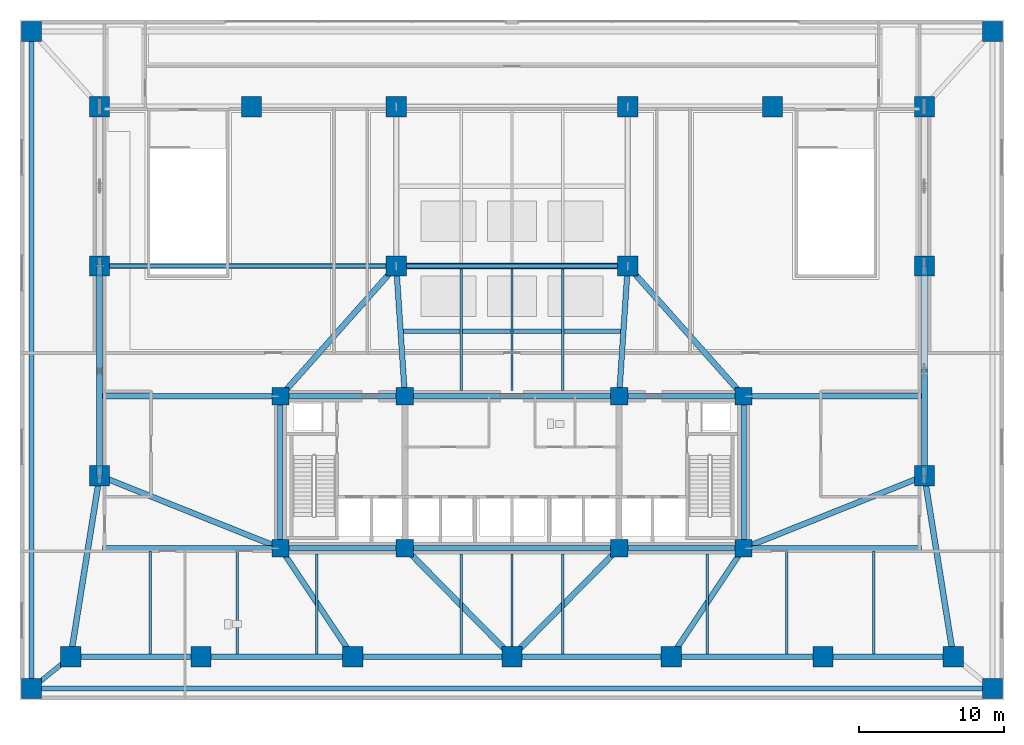
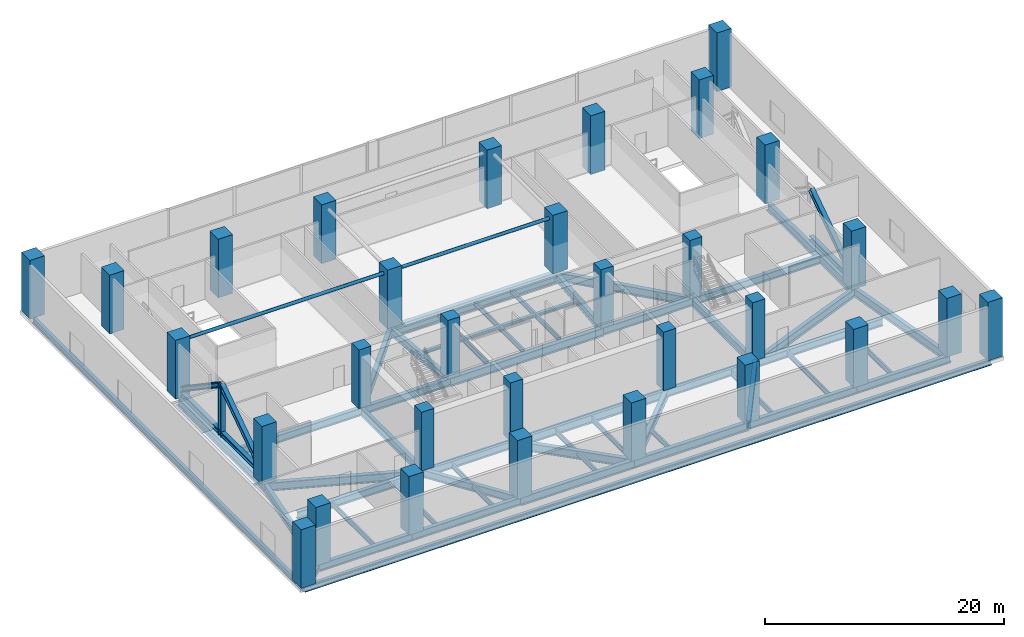
# One storey, part 1 of 16: 49 beams, 31 columns, 9 members.
"""IFC4 building model written with IfcOpenShell, lengths in metres."""

from ifc_helpers import new_model, si_unit, direction, frame, origin, origin_2d, place, context, subcontext, project, spatial, rectangle, hollow_circle, i_section, extrude, material, material_profile, profile_set, type_object, element, save


model = new_model("IFC4")

# Units and contexts
model_context = context("Model", 3, precision=1e-05, world=origin(), true_north=direction((0.0, 1.0)))
body_context = subcontext(model_context, "Body", "Model", "MODEL_VIEW")
ifc_project = project(units=[si_unit("LENGTHUNIT", "METRE"), si_unit("AREAUNIT", "SQUARE_METRE"), si_unit("VOLUMEUNIT", "CUBIC_METRE"), si_unit("PLANEANGLEUNIT", "RADIAN"), si_unit("MASSUNIT", "GRAM", prefix="KILO")], contexts=[model_context])

# Site, building, storey
site_placement = place(None, origin())
site = spatial("IfcSite", under=ifc_project, at=site_placement, CompositionType="ELEMENT")
building_placement = place(site_placement, origin())
building = spatial("IfcBuilding", under=site, at=building_placement, Name="Solmavex Isthmus Hotel", CompositionType="ELEMENT")
storey_placement = place(building_placement, frame((0.0, 0.0, 20.39990234375)))
storey = spatial("IfcBuildingStorey", under=building, at=storey_placement, Name="L05", CompositionType="ELEMENT", Elevation=20.39990234375)

# Columns
ifc_material_1 = material(Name="Concrete C70/85", Category="concrete")
ifc_material_profile_1 = material_profile(ifc_material_1, rectangle(XDim=1.199951171875, YDim=1.199951171875, at=origin_2d()), Name="RC1200X1200")
ifc_profile_set_1 = profile_set([ifc_material_profile_1], Name="Concrete C70/85")
column_type_1 = type_object("IfcColumnType", Name="COL-CC-1200", PredefinedType="COLUMN", material=ifc_profile_set_1)
for number, where, z_axis, x_axis, name in (
    (1, (-16.0, -13.0, 0.0), (0.0, 0.0, 1.0), (1.0, 0.0, 0.0), "Core Pilaster CC-SW L05"),
    (2, (-7.39990234375, -13.0, 0.0), (0.0, 0.0, 1.0), (1.0, 0.0, 0.0), "Core Pilaster CC-S1 L05"),
    (3, (7.39990234375, -13.0, 0.0), (0.0, 0.0, 1.0), (1.0, 0.0, 0.0), "Core Pilaster CC-S2 L05"),
    (4, (16.0, -13.0, 0.0), (0.0, 0.0, 1.0), (1.0, 0.0, 0.0), "Core Pilaster CC-SE L05"),
    (5, (-16.0, -2.5, 0.0), (0.0, 0.0, 1.0), (1.0, 0.0, 0.0), "Core Pilaster CC-NW L05"),
    (6, (-7.39990234375, -2.5, 0.0), (0.0, 0.0, 1.0), (1.0, 0.0, 0.0), "Core Pilaster CC-N1 L05"),
    (7, (7.39990234375, -2.5, 0.0), (0.0, 0.0, 1.0), (1.0, 0.0, 0.0), "Core Pilaster CC-N2 L05"),
    (8, (16.0, -2.5, 0.0), (0.0, 0.0, 1.0), (1.0, 0.0, 0.0), "Core Pilaster CC-NE L05"),
):
    element("IfcColumn", number, at=place(storey_placement, frame(where, z_axis=z_axis, x_axis=x_axis)), inside=storey, type_object=column_type_1, Name=name, PredefinedType="COLUMN", context=body_context, shape_type="SweptSolid", body=[
        extrude(rectangle(XDim=1.199951171875, YDim=1.199951171875, at=origin_2d()), origin(), (0.0, 0.0, 1.0), 6.0),
    ])
ifc_material_profile_2 = material_profile(ifc_material_1, rectangle(XDim=1.39990234375, YDim=1.39990234375, at=origin_2d()), Name="RC1400X1400")
ifc_profile_set_2 = profile_set([ifc_material_profile_2], Name="Concrete C70/85")
column_type_2 = type_object("IfcColumnType", Name="COL-MC-1400", PredefinedType="COLUMN", material=ifc_profile_set_2)
for number, where, z_axis, x_axis, name in (
    (9, (-33.199951171875, -22.699951171875, 0.0), (0.0, 0.0, 1.0), (1.0, 0.0, 0.0), "Podium Mega Column MC-SW L05"),
    (10, (33.199951171875, -22.699951171875, 0.0), (0.0, 0.0, 1.0), (1.0, 0.0, 0.0), "Podium Mega Column MC-SE L05"),
    (11, (-33.199951171875, 22.699951171875, 0.0), (0.0, 0.0, 1.0), (1.0, 0.0, 0.0), "Podium Mega Column MC-NW L05"),
    (12, (33.199951171875, 22.699951171875, 0.0), (0.0, 0.0, 1.0), (1.0, 0.0, 0.0), "Podium Mega Column MC-NE L05"),
    (13, (-30.5, -20.5, 0.0), (0.0, 0.0, 1.0), (1.0, 0.0, 0.0), "Podium Mega Column MC-S1 L05"),
    (14, (-21.5, -20.5, 0.0), (0.0, 0.0, 1.0), (1.0, 0.0, 0.0), "Podium Mega Column MC-S2 L05"),
    (15, (-11.0, -20.5, 0.0), (0.0, 0.0, 1.0), (1.0, 0.0, 0.0), "Podium Mega Column MC-S3 L05"),
    (16, (0.0, -20.5, 0.0), (0.0, 0.0, 1.0), (1.0, 0.0, 0.0), "Podium Mega Column MC-S4 L05"),
    (17, (11.0, -20.5, 0.0), (0.0, 0.0, 1.0), (1.0, 0.0, 0.0), "Podium Mega Column MC-S5 L05"),
    (18, (21.5, -20.5, 0.0), (0.0, 0.0, 1.0), (1.0, 0.0, 0.0), "Podium Mega Column MC-S6 L05"),
    (19, (30.5, -20.5, 0.0), (0.0, 0.0, 1.0), (1.0, 0.0, 0.0), "Podium Mega Column MC-S7 L05"),
    (20, (-28.5, -8.0, 0.0), (0.0, 0.0, 1.0), (1.0, 0.0, 0.0), "Podium Mega Column MC-W1 L05"),
    (21, (28.5, -8.0, 0.0), (0.0, 0.0, 1.0), (1.0, 0.0, 0.0), "Podium Mega Column MC-E1 L05"),
    (22, (-28.5, 6.5, 0.0), (0.0, 0.0, 1.0), (1.0, 0.0, 0.0), "Podium Mega Column MC-M1 L05"),
    (23, (-8.0, 6.5, 0.0), (0.0, 0.0, 1.0), (1.0, 0.0, 0.0), "Podium Mega Column MC-M2 L05"),
    (24, (8.0, 6.5, 0.0), (0.0, 0.0, 1.0), (1.0, 0.0, 0.0), "Podium Mega Column MC-M3 L05"),
    (25, (28.5, 6.5, 0.0), (0.0, 0.0, 1.0), (1.0, 0.0, 0.0), "Podium Mega Column MC-M4 L05"),
    (26, (-28.5, 17.5, 0.0), (0.0, 0.0, 1.0), (1.0, 0.0, 0.0), "Podium Mega Column MC-N1 L05"),
    (27, (-18.0, 17.5, 0.0), (0.0, 0.0, 1.0), (1.0, 0.0, 0.0), "Podium Mega Column MC-N2 L05"),
    (28, (-8.0, 17.5, 0.0), (0.0, 0.0, 1.0), (1.0, 0.0, 0.0), "Podium Mega Column MC-N3 L05"),
    (29, (8.0, 17.5, 0.0), (0.0, 0.0, 1.0), (1.0, 0.0, 0.0), "Podium Mega Column MC-N4 L05"),
    (30, (18.0, 17.5, 0.0), (0.0, 0.0, 1.0), (1.0, 0.0, 0.0), "Podium Mega Column MC-N5 L05"),
    (31, (28.5, 17.5, 0.0), (0.0, 0.0, 1.0), (1.0, 0.0, 0.0), "Podium Mega Column MC-N6 L05"),
):
    element("IfcColumn", number, at=place(storey_placement, frame(where, z_axis=z_axis, x_axis=x_axis)), inside=storey, type_object=column_type_2, Name=name, PredefinedType="COLUMN", context=body_context, shape_type="SweptSolid", body=[
        extrude(rectangle(XDim=1.39990234375, YDim=1.39990234375, at=origin_2d()), origin(), (0.0, 0.0, 1.0), 6.0),
    ])

# Beams
ifc_material_2 = material(Name="Steel ASTM A992 Grade 50", Category="steel")
ifc_material_profile_3 = material_profile(ifc_material_2, i_section(OverallWidth=0.380615234375, OverallDepth=0.773193359375, WebThickness=0.0166015625, FlangeThickness=0.027099609375, FilletRadius=0.01904296875, at=origin_2d()), Name="W30X173")
ifc_profile_set_3 = profile_set([ifc_material_profile_3], Name="Steel ASTM A992 Grade 50")
beam_type_1 = type_object("IfcBeamType", Name="BM-BG-W30X173", PredefinedType="BEAM", material=ifc_profile_set_3)
beam_1_placement = place(storey_placement, frame((-30.5, -20.5, -0.736572265625), z_axis=(1.0, 0.0, 0.0), x_axis=(0.0, 1.0, 0.0)))
element("IfcBeam", 32, at=beam_1_placement, inside=storey, type_object=beam_type_1, Name="Podium Primary Girder L05-G01", PredefinedType="BEAM", context=body_context, shape_type="SweptSolid", body=[
    extrude(i_section(OverallWidth=0.380615234375, OverallDepth=0.773193359375, WebThickness=0.0166015625, FlangeThickness=0.027099609375, FilletRadius=0.01904296875, at=origin_2d()), origin(), (0.0, 0.0, 1.0), 9.0),
])
for number, where, z_axis, x_axis, name in (
    (33, (-21.5, -20.5, -0.736572265625), (1.0, 0.0, 0.0), (0.0, 1.0, 0.0), "Podium Primary Girder L05-G02"),
    (34, (11.0, -20.5, -0.736572265625), (1.0, 0.0, 0.0), (0.0, 1.0, 0.0), "Podium Primary Girder L05-G05"),
):
    element("IfcBeam", number, at=place(storey_placement, frame(where, z_axis=z_axis, x_axis=x_axis)), inside=storey, type_object=beam_type_1, Name=name, PredefinedType="BEAM", context=body_context, shape_type="SweptSolid", body=[
        extrude(i_section(OverallWidth=0.380615234375, OverallDepth=0.773193359375, WebThickness=0.0166015625, FlangeThickness=0.027099609375, FilletRadius=0.01904296875, at=origin_2d()), origin(), (0.0, 0.0, 1.0), 10.5),
    ])
beam_2_placement = place(storey_placement, frame((21.5, -20.5, -0.736572265625), z_axis=(1.0, 0.0, 0.0), x_axis=(0.0, 1.0, 0.0)))
element("IfcBeam", 35, at=beam_2_placement, inside=storey, type_object=beam_type_1, Name="Podium Primary Girder L05-G06", PredefinedType="BEAM", context=body_context, shape_type="SweptSolid", body=[
    extrude(i_section(OverallWidth=0.380615234375, OverallDepth=0.773193359375, WebThickness=0.0166015625, FlangeThickness=0.027099609375, FilletRadius=0.01904296875, at=origin_2d()), origin(), (0.0, 0.0, 1.0), 9.0),
])
for number, where, z_axis, x_axis, name in (
    (36, (-11.0, -20.5, -0.736572265625), (-0.554700196225, 0.832050294338, 0.0), (-0.832050294338, -0.554700196225, 0.0), "Podium Primary Girder L05-G21"),
    (37, (11.0, -20.5, -0.736572265625), (0.554700196225, 0.832050294338, 0.0), (-0.832050294338, 0.554700196225, 0.0), "Podium Primary Girder L05-G24"),
):
    element("IfcBeam", number, at=place(storey_placement, frame(where, z_axis=z_axis, x_axis=x_axis)), inside=storey, type_object=beam_type_1, Name=name, PredefinedType="BEAM", context=body_context, shape_type="SweptSolid", body=[
        extrude(i_section(OverallWidth=0.380615234375, OverallDepth=0.773193359375, WebThickness=0.0166015625, FlangeThickness=0.027099609375, FilletRadius=0.01904296875, at=origin_2d()), origin(), (0.0, 0.0, 1.0), 9.013916015625),
    ])
for number, where, z_axis, x_axis, name in (
    (38, (-7.39990234375, -2.5, -0.736572265625), (-0.066529789268, 0.997784439215, 0.0), (-0.997784439215, -0.066529789268, 0.0), "Podium Primary Girder L05-G26"),
    (39, (7.39990234375, -2.5, -0.736572265625), (0.066529789268, 0.997784439215, 0.0), (-0.997784439215, 0.066529789268, 0.0), "Podium Primary Girder L05-G27"),
):
    element("IfcBeam", number, at=place(storey_placement, frame(where, z_axis=z_axis, x_axis=x_axis)), inside=storey, type_object=beam_type_1, Name=name, PredefinedType="BEAM", context=body_context, shape_type="SweptSolid", body=[
        extrude(i_section(OverallWidth=0.380615234375, OverallDepth=0.773193359375, WebThickness=0.0166015625, FlangeThickness=0.027099609375, FilletRadius=0.01904296875, at=origin_2d()), origin(), (0.0, 0.0, 1.0), 9.02001953125),
    ])
for number, where, z_axis, x_axis, name in (
    (40, (-16.0, -13.0, -0.736572265625), (1.0, 0.0, 0.0), (0.0, 1.0, 0.0), "Podium Primary Girder L05-G33"),
    (41, (7.39990234375, -13.0, -0.736572265625), (1.0, 0.0, 0.0), (0.0, 1.0, 0.0), "Podium Primary Girder L05-G35"),
    (42, (-16.0, -2.5, -0.736572265625), (1.0, 0.0, 0.0), (0.0, 1.0, 0.0), "Podium Primary Girder L05-G36"),
    (43, (7.39990234375, -2.5, -0.736572265625), (1.0, 0.0, 0.0), (0.0, 1.0, 0.0), "Podium Primary Girder L05-G38"),
):
    element("IfcBeam", number, at=place(storey_placement, frame(where, z_axis=z_axis, x_axis=x_axis)), inside=storey, type_object=beam_type_1, Name=name, PredefinedType="BEAM", context=body_context, shape_type="SweptSolid", body=[
        extrude(i_section(OverallWidth=0.380615234375, OverallDepth=0.773193359375, WebThickness=0.0166015625, FlangeThickness=0.027099609375, FilletRadius=0.01904296875, at=origin_2d()), origin(), (0.0, 0.0, 1.0), 8.60009765625),
    ])
for number, where, z_axis, x_axis, name in (
    (44, (-16.0, -13.0, -0.736572265625), (0.0, 1.0, 0.0), (-1.0, 0.0, 0.0), "Podium Primary Girder L05-G39"),
    (45, (16.0, -13.0, -0.736572265625), (0.0, 1.0, 0.0), (-1.0, 0.0, 0.0), "Podium Primary Girder L05-G40"),
):
    element("IfcBeam", number, at=place(storey_placement, frame(where, z_axis=z_axis, x_axis=x_axis)), inside=storey, type_object=beam_type_1, Name=name, PredefinedType="BEAM", context=body_context, shape_type="SweptSolid", body=[
        extrude(i_section(OverallWidth=0.380615234375, OverallDepth=0.773193359375, WebThickness=0.0166015625, FlangeThickness=0.027099609375, FilletRadius=0.01904296875, at=origin_2d()), origin(), (0.0, 0.0, 1.0), 10.5),
    ])
for number, where, z_axis, x_axis, name in (
    (46, (-28.31005859375, -2.5, -0.736572265625), (1.0, 0.0, 0.0), (0.0, 1.0, 0.0), "Podium Wing Collector Girder L05-EW01"),
    (47, (16.0, -2.5, -0.736572265625), (1.0, 0.0, 0.0), (0.0, 1.0, 0.0), "Podium Wing Collector Girder L05-EW02"),
    (48, (-28.31005859375, -13.0, -0.736572265625), (1.0, 0.0, 0.0), (0.0, 1.0, 0.0), "Podium Wing Collector Girder L05-EW03"),
    (49, (16.0, -13.0, -0.736572265625), (1.0, 0.0, 0.0), (0.0, 1.0, 0.0), "Podium Wing Collector Girder L05-EW04"),
):
    element("IfcBeam", number, at=place(storey_placement, frame(where, z_axis=z_axis, x_axis=x_axis)), inside=storey, type_object=beam_type_1, Name=name, PredefinedType="BEAM", context=body_context, shape_type="SweptSolid", body=[
        extrude(i_section(OverallWidth=0.380615234375, OverallDepth=0.773193359375, WebThickness=0.0166015625, FlangeThickness=0.027099609375, FilletRadius=0.01904296875, at=origin_2d()), origin(), (0.0, 0.0, 1.0), 12.31005859375),
    ])
ifc_material_profile_4 = material_profile(ifc_material_2, i_section(OverallWidth=0.39990234375, OverallDepth=0.85546875, WebThickness=0.018310546875, FlangeThickness=0.029296875, FilletRadius=0.020263671875, at=origin_2d()), Name="W33X201")
ifc_profile_set_4 = profile_set([ifc_material_profile_4], Name="Steel ASTM A992 Grade 50")
beam_type_2 = type_object("IfcBeamType", Name="BM-BG-W33X201", PredefinedType="BEAM", material=ifc_profile_set_4)
for number, where, z_axis, x_axis, name in (
    (50, (-11.0, -20.5, -0.777587890625), (1.0, 0.0, 0.0), (0.0, 1.0, 0.0), "Podium Primary Girder L05-G03"),
    (51, (0.0, -20.5, -0.777587890625), (1.0, 0.0, 0.0), (0.0, 1.0, 0.0), "Podium Primary Girder L05-G04"),
):
    element("IfcBeam", number, at=place(storey_placement, frame(where, z_axis=z_axis, x_axis=x_axis)), inside=storey, type_object=beam_type_2, Name=name, PredefinedType="BEAM", context=body_context, shape_type="SweptSolid", body=[
        extrude(i_section(OverallWidth=0.39990234375, OverallDepth=0.85546875, WebThickness=0.018310546875, FlangeThickness=0.029296875, FilletRadius=0.020263671875, at=origin_2d()), origin(), (0.0, 0.0, 1.0), 11.0),
    ])
beam_3_placement = place(storey_placement, frame((-30.5, -20.5, -0.777587890625), z_axis=(0.157990501107, 0.987440631917, 0.0), x_axis=(-0.987440631917, 0.157990501107, 0.0)))
element("IfcBeam", 52, at=beam_3_placement, inside=storey, type_object=beam_type_2, Name="Podium Primary Girder L05-G12", PredefinedType="BEAM", context=body_context, shape_type="SweptSolid", body=[
    extrude(i_section(OverallWidth=0.39990234375, OverallDepth=0.85546875, WebThickness=0.018310546875, FlangeThickness=0.029296875, FilletRadius=0.020263671875, at=origin_2d()), origin(), (0.0, 0.0, 1.0), 12.658935546875),
])
beam_4_placement = place(storey_placement, frame((-28.5, -8.0, -0.777587890625), z_axis=(0.0, 1.0, 0.0), x_axis=(-1.0, 0.0, 0.0)))
element("IfcBeam", 53, at=beam_4_placement, inside=storey, type_object=beam_type_2, Name="Podium Primary Girder L05-G13", PredefinedType="BEAM", context=body_context, shape_type="SweptSolid", body=[
    extrude(i_section(OverallWidth=0.39990234375, OverallDepth=0.85546875, WebThickness=0.018310546875, FlangeThickness=0.029296875, FilletRadius=0.020263671875, at=origin_2d()), origin(), (0.0, 0.0, 1.0), 14.5),
])
beam_5_placement = place(storey_placement, frame((30.5, -20.5, -0.777587890625), z_axis=(-0.157990501107, 0.987440631917, 0.0), x_axis=(-0.987440631917, -0.157990501107, 0.0)))
element("IfcBeam", 54, at=beam_5_placement, inside=storey, type_object=beam_type_2, Name="Podium Primary Girder L05-G15", PredefinedType="BEAM", context=body_context, shape_type="SweptSolid", body=[
    extrude(i_section(OverallWidth=0.39990234375, OverallDepth=0.85546875, WebThickness=0.018310546875, FlangeThickness=0.029296875, FilletRadius=0.020263671875, at=origin_2d()), origin(), (0.0, 0.0, 1.0), 12.658935546875),
])
beam_6_placement = place(storey_placement, frame((28.5, -8.0, -0.777587890625), z_axis=(0.0, 1.0, 0.0), x_axis=(-1.0, 0.0, 0.0)))
element("IfcBeam", 55, at=beam_6_placement, inside=storey, type_object=beam_type_2, Name="Podium Primary Girder L05-G16", PredefinedType="BEAM", context=body_context, shape_type="SweptSolid", body=[
    extrude(i_section(OverallWidth=0.39990234375, OverallDepth=0.85546875, WebThickness=0.018310546875, FlangeThickness=0.029296875, FilletRadius=0.020263671875, at=origin_2d()), origin(), (0.0, 0.0, 1.0), 14.5),
])
for number, where, z_axis, x_axis, name in (
    (56, (0.0, -20.5, -0.777587890625), (-0.702340583794, 0.711841066781, 0.0), (-0.711841066781, -0.702340583794, 0.0), "Podium Primary Girder L05-G22"),
    (57, (0.0, -20.5, -0.777587890625), (0.702340583794, 0.711841066781, 0.0), (-0.711841066781, 0.702340583794, 0.0), "Podium Primary Girder L05-G23"),
):
    element("IfcBeam", number, at=place(storey_placement, frame(where, z_axis=z_axis, x_axis=x_axis)), inside=storey, type_object=beam_type_2, Name=name, PredefinedType="BEAM", context=body_context, shape_type="SweptSolid", body=[
        extrude(i_section(OverallWidth=0.39990234375, OverallDepth=0.85546875, WebThickness=0.018310546875, FlangeThickness=0.029296875, FilletRadius=0.020263671875, at=origin_2d()), origin(), (0.0, 0.0, 1.0), 10.5361328125),
    ])
for number, where, z_axis, x_axis, name in (
    (58, (-16.0, -2.5, -0.777587890625), (0.66436383883, 0.747409318684, 0.0), (-0.747409318684, 0.66436383883, 0.0), "Podium Primary Girder L05-G25"),
    (59, (16.0, -2.5, -0.777587890625), (-0.66436383883, 0.747409318684, 0.0), (-0.747409318684, -0.66436383883, 0.0), "Podium Primary Girder L05-G28"),
):
    element("IfcBeam", number, at=place(storey_placement, frame(where, z_axis=z_axis, x_axis=x_axis)), inside=storey, type_object=beam_type_2, Name=name, PredefinedType="BEAM", context=body_context, shape_type="SweptSolid", body=[
        extrude(i_section(OverallWidth=0.39990234375, OverallDepth=0.85546875, WebThickness=0.018310546875, FlangeThickness=0.029296875, FilletRadius=0.020263671875, at=origin_2d()), origin(), (0.0, 0.0, 1.0), 12.04150390625),
    ])
for number, where, z_axis, x_axis, name in (
    (60, (-28.5, -8.0, -0.777587890625), (0.928476690885, -0.371390676354, 0.0), (0.371390676354, 0.928476690885, 0.0), "Podium Primary Girder L05-G31"),
    (61, (28.5, -8.0, -0.777587890625), (-0.928476690885, -0.371390676354, 0.0), (0.371390676354, -0.928476690885, 0.0), "Podium Primary Girder L05-G32"),
):
    element("IfcBeam", number, at=place(storey_placement, frame(where, z_axis=z_axis, x_axis=x_axis)), inside=storey, type_object=beam_type_2, Name=name, PredefinedType="BEAM", context=body_context, shape_type="SweptSolid", body=[
        extrude(i_section(OverallWidth=0.39990234375, OverallDepth=0.85546875, WebThickness=0.018310546875, FlangeThickness=0.029296875, FilletRadius=0.020263671875, at=origin_2d()), origin(), (0.0, 0.0, 1.0), 13.462890625),
    ])
for number, where, z_axis, x_axis, name in (
    (62, (-7.39990234375, -13.0, -0.777587890625), (1.0, 0.0, 0.0), (0.0, 1.0, 0.0), "Podium Primary Girder L05-G34"),
    (63, (-7.39990234375, -2.5, -0.777587890625), (1.0, 0.0, 0.0), (0.0, 1.0, 0.0), "Podium Primary Girder L05-G37"),
):
    element("IfcBeam", number, at=place(storey_placement, frame(where, z_axis=z_axis, x_axis=x_axis)), inside=storey, type_object=beam_type_2, Name=name, PredefinedType="BEAM", context=body_context, shape_type="SweptSolid", body=[
        extrude(i_section(OverallWidth=0.39990234375, OverallDepth=0.85546875, WebThickness=0.018310546875, FlangeThickness=0.029296875, FilletRadius=0.020263671875, at=origin_2d()), origin(), (0.0, 0.0, 1.0), 14.7998046875),
    ])
ifc_material_profile_5 = material_profile(ifc_material_2, i_section(OverallWidth=0.16650390625, OverallDepth=0.534912109375, WebThickness=0.01025390625, FlangeThickness=0.0166015625, FilletRadius=0.013916015625, at=origin_2d()), Name="W21X57")
ifc_profile_set_5 = profile_set([ifc_material_profile_5], Name="Steel ASTM A992 Grade 50")
beam_type_3 = type_object("IfcBeamType", Name="BM-BJ-W21X57", PredefinedType="JOIST", material=ifc_profile_set_5)
for number, where, z_axis, x_axis, name in (
    (64, (-25.0, -20.309814453125, -0.617431640625), (0.0, 1.0, 0.0), (-1.0, 0.0, 0.0), "Podium Composite Floor Joist L05-J01"),
    (65, (-19.0, -20.309814453125, -0.617431640625), (0.0, 1.0, 0.0), (-1.0, 0.0, 0.0), "Podium Composite Floor Joist L05-J02"),
):
    element("IfcBeam", number, at=place(storey_placement, frame(where, z_axis=z_axis, x_axis=x_axis)), inside=storey, type_object=beam_type_3, Name=name, PredefinedType="JOIST", context=body_context, shape_type="SweptSolid", body=[
        extrude(i_section(OverallWidth=0.16650390625, OverallDepth=0.534912109375, WebThickness=0.01025390625, FlangeThickness=0.0166015625, FilletRadius=0.013916015625, at=origin_2d()), origin(), (0.0, 0.0, 1.0), 7.11962890625),
    ])
beam_7_placement = place(storey_placement, frame((-13.5, -20.309814453125, -0.617431640625), z_axis=(0.0, 1.0, 0.0), x_axis=(-1.0, 0.0, 0.0)))
element("IfcBeam", 66, at=beam_7_placement, inside=storey, type_object=beam_type_3, Name="Podium Composite Floor Joist L05-J03", PredefinedType="JOIST", context=body_context, shape_type="SweptSolid", body=[
    extrude(i_section(OverallWidth=0.16650390625, OverallDepth=0.534912109375, WebThickness=0.01025390625, FlangeThickness=0.0166015625, FilletRadius=0.013916015625, at=origin_2d()), origin(), (0.0, 0.0, 1.0), 6.909912109375),
])
beam_8_placement = place(storey_placement, frame((-3.5, -20.300048828125, -0.617431640625), z_axis=(0.0, 1.0, 0.0), x_axis=(-1.0, 0.0, 0.0)))
element("IfcBeam", 67, at=beam_8_placement, inside=storey, type_object=beam_type_3, Name="Podium Composite Floor Joist L05-J04", PredefinedType="JOIST", context=body_context, shape_type="SweptSolid", body=[
    extrude(i_section(OverallWidth=0.16650390625, OverallDepth=0.534912109375, WebThickness=0.01025390625, FlangeThickness=0.0166015625, FilletRadius=0.013916015625, at=origin_2d()), origin(), (0.0, 0.0, 1.0), 6.900146484375),
])
beam_9_placement = place(storey_placement, frame((-3.5, -2.10009765625, -0.617431640625), z_axis=(0.0, 1.0, 0.0), x_axis=(-1.0, 0.0, 0.0)))
element("IfcBeam", 68, at=beam_9_placement, inside=storey, type_object=beam_type_3, Name="Podium Composite Floor Joist L05-J05", PredefinedType="JOIST", context=body_context, shape_type="SweptSolid", body=[
    extrude(i_section(OverallWidth=0.16650390625, OverallDepth=0.534912109375, WebThickness=0.01025390625, FlangeThickness=0.0166015625, FilletRadius=0.013916015625, at=origin_2d()), origin(), (0.0, 0.0, 1.0), 8.3994140625),
])
beam_10_placement = place(storey_placement, frame((0.0, -20.300048828125, -0.617431640625), z_axis=(0.0, 1.0, 0.0), x_axis=(-1.0, 0.0, 0.0)))
element("IfcBeam", 69, at=beam_10_placement, inside=storey, type_object=beam_type_3, Name="Podium Composite Floor Joist L05-J07", PredefinedType="JOIST", context=body_context, shape_type="SweptSolid", body=[
    extrude(i_section(OverallWidth=0.16650390625, OverallDepth=0.534912109375, WebThickness=0.01025390625, FlangeThickness=0.0166015625, FilletRadius=0.013916015625, at=origin_2d()), origin(), (0.0, 0.0, 1.0), 6.900146484375),
])
beam_11_placement = place(storey_placement, frame((0.0, -2.10009765625, -0.617431640625), z_axis=(0.0, 1.0, 0.0), x_axis=(-1.0, 0.0, 0.0)))
element("IfcBeam", 70, at=beam_11_placement, inside=storey, type_object=beam_type_3, Name="Podium Composite Floor Joist L05-J08", PredefinedType="JOIST", context=body_context, shape_type="SweptSolid", body=[
    extrude(i_section(OverallWidth=0.16650390625, OverallDepth=0.534912109375, WebThickness=0.01025390625, FlangeThickness=0.0166015625, FilletRadius=0.013916015625, at=origin_2d()), origin(), (0.0, 0.0, 1.0), 8.3994140625),
])
beam_12_placement = place(storey_placement, frame((3.5, -20.300048828125, -0.617431640625), z_axis=(0.0, 1.0, 0.0), x_axis=(-1.0, 0.0, 0.0)))
element("IfcBeam", 71, at=beam_12_placement, inside=storey, type_object=beam_type_3, Name="Podium Composite Floor Joist L05-J10", PredefinedType="JOIST", context=body_context, shape_type="SweptSolid", body=[
    extrude(i_section(OverallWidth=0.16650390625, OverallDepth=0.534912109375, WebThickness=0.01025390625, FlangeThickness=0.0166015625, FilletRadius=0.013916015625, at=origin_2d()), origin(), (0.0, 0.0, 1.0), 6.900146484375),
])
beam_13_placement = place(storey_placement, frame((3.5, -2.10009765625, -0.617431640625), z_axis=(0.0, 1.0, 0.0), x_axis=(-1.0, 0.0, 0.0)))
element("IfcBeam", 72, at=beam_13_placement, inside=storey, type_object=beam_type_3, Name="Podium Composite Floor Joist L05-J11", PredefinedType="JOIST", context=body_context, shape_type="SweptSolid", body=[
    extrude(i_section(OverallWidth=0.16650390625, OverallDepth=0.534912109375, WebThickness=0.01025390625, FlangeThickness=0.0166015625, FilletRadius=0.013916015625, at=origin_2d()), origin(), (0.0, 0.0, 1.0), 8.3994140625),
])
beam_14_placement = place(storey_placement, frame((13.5, -20.309814453125, -0.617431640625), z_axis=(0.0, 1.0, 0.0), x_axis=(-1.0, 0.0, 0.0)))
element("IfcBeam", 73, at=beam_14_placement, inside=storey, type_object=beam_type_3, Name="Podium Composite Floor Joist L05-J13", PredefinedType="JOIST", context=body_context, shape_type="SweptSolid", body=[
    extrude(i_section(OverallWidth=0.16650390625, OverallDepth=0.534912109375, WebThickness=0.01025390625, FlangeThickness=0.0166015625, FilletRadius=0.013916015625, at=origin_2d()), origin(), (0.0, 0.0, 1.0), 6.909912109375),
])
for number, where, z_axis, x_axis, name in (
    (74, (19.0, -20.309814453125, -0.617431640625), (0.0, 1.0, 0.0), (-1.0, 0.0, 0.0), "Podium Composite Floor Joist L05-J14"),
    (75, (25.0, -20.309814453125, -0.617431640625), (0.0, 1.0, 0.0), (-1.0, 0.0, 0.0), "Podium Composite Floor Joist L05-J15"),
):
    element("IfcBeam", number, at=place(storey_placement, frame(where, z_axis=z_axis, x_axis=x_axis)), inside=storey, type_object=beam_type_3, Name=name, PredefinedType="JOIST", context=body_context, shape_type="SweptSolid", body=[
        extrude(i_section(OverallWidth=0.16650390625, OverallDepth=0.534912109375, WebThickness=0.01025390625, FlangeThickness=0.0166015625, FilletRadius=0.013916015625, at=origin_2d()), origin(), (0.0, 0.0, 1.0), 7.11962890625),
    ])
ifc_material_profile_6 = material_profile(ifc_material_2, i_section(OverallWidth=0.3046875, OverallDepth=0.307861328125, WebThickness=0.010009765625, FlangeThickness=0.015380859375, FilletRadius=0.01513671875, at=origin_2d()), Name="W12X65")
ifc_profile_set_6 = profile_set([ifc_material_profile_6], Name="Steel ASTM A992 Grade 50")
beam_type_4 = type_object("IfcBeamType", Name="BM-BM-W12X65", PredefinedType="BEAM", material=ifc_profile_set_6)
beam_15_placement = place(storey_placement, frame((-7.81005859375, 2.0, -0.50390625), z_axis=(1.0, 0.0, 0.0), x_axis=(0.0, 1.0, 0.0)))
element("IfcBeam", 76, at=beam_15_placement, inside=storey, type_object=beam_type_4, Name="Atrium Skylight Beam SKB-1", PredefinedType="BEAM", context=body_context, shape_type="SweptSolid", body=[
    extrude(i_section(OverallWidth=0.3046875, OverallDepth=0.307861328125, WebThickness=0.010009765625, FlangeThickness=0.015380859375, FilletRadius=0.01513671875, at=origin_2d()), origin(), (0.0, 0.0, 1.0), 15.6201171875),
])
ifc_material_profile_7 = material_profile(ifc_material_2, i_section(OverallWidth=0.326416015625, OverallDepth=0.621826171875, WebThickness=0.015380859375, FlangeThickness=0.0244140625, FilletRadius=0.01513671875, at=origin_2d()), Name="W24X131")
ifc_profile_set_7 = profile_set([ifc_material_profile_7], Name="Steel ASTM A992 Grade 50")
beam_type_5 = type_object("IfcBeamType", Name="BM-SP-W24X131", PredefinedType="SPANDREL", material=ifc_profile_set_7)
beam_16_placement = place(storey_placement, frame((-33.199951171875, -22.699951171875, -0.660888671875), z_axis=(0.77523625691, 0.631671390814, 0.0), x_axis=(-0.631671390814, 0.77523625691, 0.0)))
element("IfcBeam", 77, at=beam_16_placement, inside=storey, type_object=beam_type_5, Name="Podium Corner Perimeter Girder L05-CR01", PredefinedType="SPANDREL", context=body_context, shape_type="SweptSolid", body=[
    extrude(i_section(OverallWidth=0.326416015625, OverallDepth=0.621826171875, WebThickness=0.015380859375, FlangeThickness=0.0244140625, FilletRadius=0.01513671875, at=origin_2d()), origin(), (0.0, 0.0, 1.0), 3.482666015625),
])
beam_17_placement = place(storey_placement, frame((-33.199951171875, -22.699951171875, -0.660888671875), z_axis=(0.0, 1.0, 0.0), x_axis=(-1.0, 0.0, 0.0)))
element("IfcBeam", 78, at=beam_17_placement, inside=storey, type_object=beam_type_5, Name="Podium Corner Perimeter Girder L05-CR03", PredefinedType="SPANDREL", context=body_context, shape_type="SweptSolid", body=[
    extrude(i_section(OverallWidth=0.326416015625, OverallDepth=0.621826171875, WebThickness=0.015380859375, FlangeThickness=0.0244140625, FilletRadius=0.01513671875, at=origin_2d()), origin(), (0.0, 0.0, 1.0), 45.39990234375),
])
beam_18_placement = place(storey_placement, frame((-33.199951171875, -22.699951171875, -0.660888671875), z_axis=(1.0, 0.0, 0.0), x_axis=(0.0, 1.0, 0.0)))
element("IfcBeam", 79, at=beam_18_placement, inside=storey, type_object=beam_type_5, Name="Podium Edge Spandrel L05-SP01", PredefinedType="SPANDREL", context=body_context, shape_type="SweptSolid", body=[
    extrude(i_section(OverallWidth=0.326416015625, OverallDepth=0.621826171875, WebThickness=0.015380859375, FlangeThickness=0.0244140625, FilletRadius=0.01513671875, at=origin_2d()), origin(), (0.0, 0.0, 1.0), 66.39990234375),
])
ifc_material_3 = material(Name="Steel ASTM A913 Grade 65", Category="steel")
ifc_material_profile_8 = material_profile(ifc_material_3, i_section(OverallWidth=0.4013671875, OverallDepth=1.107421875, WebThickness=0.02197265625, FlangeThickness=0.0400390625, FilletRadius=0.030517578125, at=origin_2d()), Name="W44X290")
ifc_profile_set_8 = profile_set([ifc_material_profile_8], Name="Steel ASTM A913 Grade 65")
beam_type_6 = type_object("IfcBeamType", Name="BM-TB-W44X290", PredefinedType="BEAM", material=ifc_profile_set_8)
beam_19_placement = place(storey_placement, frame((-8.0, 6.5, -0.903564453125), z_axis=(1.0, 0.0, 0.0), x_axis=(0.0, 1.0, 0.0)))
element("IfcBeam", 80, at=beam_19_placement, inside=storey, type_object=beam_type_6, Name="Podium Primary Girder L05-G19", PredefinedType="BEAM", context=body_context, shape_type="SweptSolid", body=[
    extrude(i_section(OverallWidth=0.4013671875, OverallDepth=1.107421875, WebThickness=0.02197265625, FlangeThickness=0.0400390625, FilletRadius=0.030517578125, at=origin_2d()), origin(), (0.0, 0.0, 1.0), 16.0),
])

# Members
ifc_material_4 = material(Name="Steel ASTM A500 Grade C", Category="steel")
ifc_material_profile_9 = material_profile(ifc_material_4, hollow_circle(Radius=0.161865234375, WallThickness=0.0126953125, at=origin_2d()), Name="CHS324X12")
ifc_profile_set_9 = profile_set([ifc_material_profile_9], Name="Steel ASTM A500 Grade C")
member_type_1 = type_object("IfcMemberType", Name="MEM-CH-324X12", PredefinedType="BRACE", material=ifc_profile_set_9)
member_1_placement = place(storey_placement, frame((-8.0, 6.5, 5.2900390625), z_axis=(1.0, 0.0, 0.0), x_axis=(0.0, 1.0, 0.0)))
element("IfcMember", 81, at=member_1_placement, inside=storey, type_object=member_type_1, Name="Atrium Skylight Hollow Collar Brace CH-03", PredefinedType="BRACE", context=body_context, shape_type="SweptSolid", body=[
    extrude(hollow_circle(Radius=0.161865234375, WallThickness=0.0126953125, at=origin_2d()), origin(), (0.0, 0.0, 1.0), 16.0),
])
member_2_placement = place(storey_placement, frame((-28.5, 6.5, 5.2900390625), z_axis=(1.0, 0.0, 0.0), x_axis=(0.0, 1.0, 0.0)))
element("IfcMember", 82, at=member_2_placement, inside=storey, type_object=member_type_1, Name="Atrium Skylight Hollow Collar Brace CH-05", PredefinedType="BRACE", context=body_context, shape_type="SweptSolid", body=[
    extrude(hollow_circle(Radius=0.161865234375, WallThickness=0.0126953125, at=origin_2d()), origin(), (0.0, 0.0, 1.0), 20.5),
])
ifc_material_profile_10 = material_profile(ifc_material_3, i_section(OverallWidth=0.412109375, OverallDepth=0.434814453125, WebThickness=0.035888671875, FlangeThickness=0.057373046875, FilletRadius=0.030517578125, at=origin_2d()), Name="W14X311")
ifc_profile_set_10 = profile_set([ifc_material_profile_10], Name="Steel ASTM A913 Grade 65")
member_type_2 = type_object("IfcMemberType", Name="MEM-TC-W14X311", PredefinedType="CHORD", material=ifc_profile_set_10)
for number, where, z_axis, x_axis, name in (
    (83, (-28.5, -8.0, 0.35009765625), (0.0, 1.0, 0.0), (-1.0, 0.0, 0.0), "Ballroom Transfer Truss Bottom Chord BT-L05-W-01"),
    (84, (-28.5, -0.75, 0.35009765625), (0.0, 1.0, 0.0), (-1.0, 0.0, 0.0), "Ballroom Transfer Truss Bottom Chord BT-L05-W-02"),
    (85, (28.5, -8.0, 0.35009765625), (0.0, 1.0, 0.0), (-1.0, 0.0, 0.0), "Ballroom Transfer Truss Bottom Chord BT-L05-E-05"),
):
    element("IfcMember", number, at=place(storey_placement, frame(where, z_axis=z_axis, x_axis=x_axis)), inside=storey, type_object=member_type_2, Name=name, PredefinedType="CHORD", context=body_context, shape_type="SweptSolid", body=[
        extrude(i_section(OverallWidth=0.412109375, OverallDepth=0.434814453125, WebThickness=0.035888671875, FlangeThickness=0.057373046875, FilletRadius=0.030517578125, at=origin_2d()), origin(), (0.0, 0.0, 1.0), 7.25),
    ])
ifc_material_profile_11 = material_profile(ifc_material_3, i_section(OverallWidth=0.43212890625, OverallDepth=0.497802734375, WebThickness=0.0556640625, FlangeThickness=0.0888671875, FilletRadius=0.030517578125, at=origin_2d()), Name="W14X500")
ifc_profile_set_11 = profile_set([ifc_material_profile_11], Name="Steel ASTM A913 Grade 65")
member_type_3 = type_object("IfcMemberType", Name="MEM-TM-W14X500", PredefinedType="BRACE", material=ifc_profile_set_11)
for number, where, z_axis, x_axis, name in (
    (86, (-28.5, -8.0, 0.35009765625), (0.0, 0.828522500638, 0.559955771411), (-1.0, 0.0, 0.0), "Ballroom Transfer Truss Diagonal Brace BT-L05-W-01"),
    (87, (-28.5, -0.75, 5.25), (0.0, 0.828522500638, -0.559955771411), (-1.0, 0.0, 0.0), "Ballroom Transfer Truss Diagonal Brace BT-L05-W-02"),
    (88, (28.5, -8.0, 0.35009765625), (0.0, 0.828522500638, 0.559955771411), (-1.0, 0.0, 0.0), "Ballroom Transfer Truss Diagonal Brace BT-L05-E-05"),
):
    element("IfcMember", number, at=place(storey_placement, frame(where, z_axis=z_axis, x_axis=x_axis)), inside=storey, type_object=member_type_3, Name=name, PredefinedType="BRACE", context=body_context, shape_type="SweptSolid", body=[
        extrude(i_section(OverallWidth=0.43212890625, OverallDepth=0.497802734375, WebThickness=0.0556640625, FlangeThickness=0.0888671875, FilletRadius=0.030517578125, at=origin_2d()), origin(), (0.0, 0.0, 1.0), 8.75048828125),
    ])
ifc_material_profile_12 = material_profile(ifc_material_3, i_section(OverallWidth=0.424072265625, OverallDepth=0.47412109375, WebThickness=0.047607421875, FlangeThickness=0.0771484375, FilletRadius=0.030517578125, at=origin_2d()), Name="W14X426")
ifc_profile_set_12 = profile_set([ifc_material_profile_12], Name="Steel ASTM A913 Grade 65")
member_type_4 = type_object("IfcMemberType", Name="MEM-TP-W14X426", PredefinedType="POST", material=ifc_profile_set_12)
member_3_placement = place(storey_placement, frame((-28.5, -0.75, 0.0), z_axis=(0.0, 0.0, 1.0), x_axis=(1.0, 0.0, 0.0)))
element("IfcMember", 89, at=member_3_placement, inside=storey, type_object=member_type_4, Name="Ballroom Transfer Truss Vertical Post BT-L05-W-02", PredefinedType="POST", context=body_context, shape_type="SweptSolid", body=[
    extrude(i_section(OverallWidth=0.424072265625, OverallDepth=0.47412109375, WebThickness=0.047607421875, FlangeThickness=0.0771484375, FilletRadius=0.030517578125, at=origin_2d()), origin(), (0.0, 0.0, 1.0), 5.25),
])

save(model, "model.ifc")
